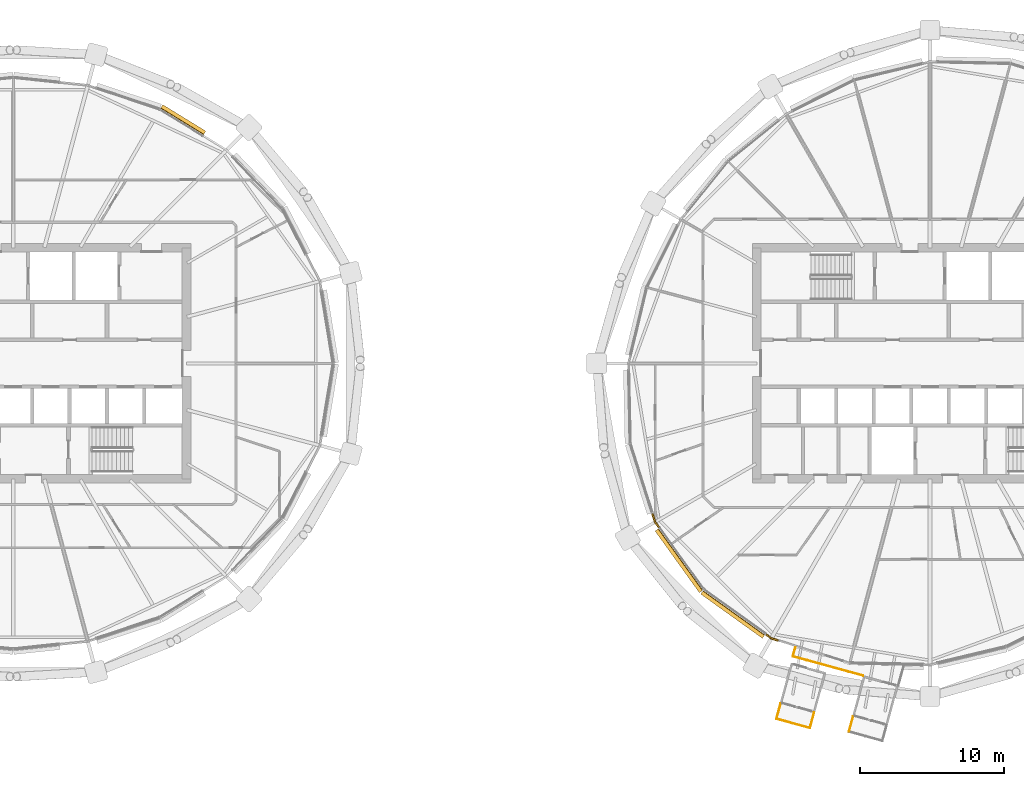
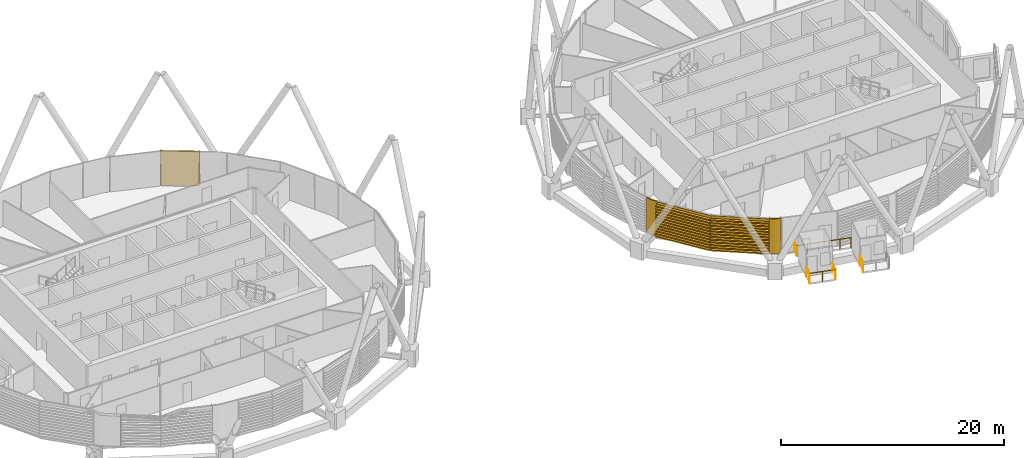
# One storey, part 34 of 37: 6 railings, 5 coverings.
"""IFC4 building model written with IfcOpenShell, lengths in metres."""

from ifc_helpers import new_model, si_unit, direction, frame, origin, origin_2d, place, context, subcontext, project, spatial, polyline, circle, outline, extrude, material, layer, layer_set, material_profile, profile_set, type_object, element, save


model = new_model("IFC4")

# Units and contexts
model_context = context("Model", 3, precision=1e-05, world=origin(), true_north=direction((0.0, 1.0)))
body_context = subcontext(model_context, "Body", "Model", "MODEL_VIEW")
ifc_project = project(units=[si_unit("LENGTHUNIT", "METRE"), si_unit("AREAUNIT", "SQUARE_METRE"), si_unit("VOLUMEUNIT", "CUBIC_METRE"), si_unit("PLANEANGLEUNIT", "RADIAN"), si_unit("MASSUNIT", "GRAM", prefix="KILO")], contexts=[model_context])

# Site, building, storey
site_placement = place(None, origin())
site = spatial("IfcSite", under=ifc_project, at=site_placement, CompositionType="ELEMENT")
building_placement = place(site_placement, origin())
building = spatial("IfcBuilding", under=site, at=building_placement, Name="Rimbun Link Towers", CompositionType="ELEMENT")
storey_placement = place(building_placement, frame((0.0, 0.0, 170.300048828125)))
storey = spatial("IfcBuildingStorey", under=building, at=storey_placement, Name="L41", CompositionType="ELEMENT", Elevation=170.300048828125)

# Railings
ifc_material_1 = material(Name="Stainless steel grade 316", Category="steel")
railing_type = type_object("IfcRailingType", Name="GUARD stainless rail and posts", PredefinedType="GUARDRAIL", material=ifc_material_1)
railing_1_placement = place(storey_placement, frame((26.422607421875, -24.453857421875, 0.0)))
element("IfcRailing", 1, at=railing_1_placement, inside=storey, type_object=railing_type, Name="GUARD D412.01 balcony", PredefinedType="GUARDRAIL", context=body_context, shape_type="SweptSolid", body=[
    extrude(circle(Radius=0.02392578125, at=origin_2d()), frame((0.0, 0.0, 1.076171875), z_axis=(-0.264769589015, -0.964311705173, 0.0), x_axis=(0.964311705173, -0.264769589015, 0.0)), (0.0, 0.0, 1.0), 1.10009765625),
    extrude(circle(Radius=0.02099609375, at=origin_2d()), origin(), (0.0, 0.0, 1.0), 1.052001953125),
    extrude(circle(Radius=0.02099609375, at=origin_2d()), frame((-0.291259765625, -1.060791015625, 0.0)), (0.0, 0.0, 1.0), 1.052001953125),
])
railing_2_placement = place(storey_placement, frame((21.400634765625, -23.56494140625, 0.0)))
element("IfcRailing", 2, at=railing_2_placement, inside=storey, type_object=railing_type, Name="GUARD D412.02 balcony", PredefinedType="GUARDRAIL", context=body_context, shape_type="SweptSolid", body=[
    extrude(circle(Radius=0.02392578125, at=origin_2d()), frame((0.0, 0.0, 1.076171875), z_axis=(-0.264826265466, -0.964296141815, 0.0), x_axis=(0.964296141815, -0.264826265466, 0.0)), (0.0, 0.0, 1.0), 1.099853515625),
    extrude(circle(Radius=0.02099609375, at=origin_2d()), origin(), (0.0, 0.0, 1.0), 1.052001953125),
    extrude(circle(Radius=0.02099609375, at=origin_2d()), frame((-0.291259765625, -1.060546875, 0.0)), (0.0, 0.0, 1.0), 1.052001953125),
])
railing_3_placement = place(storey_placement, frame((21.109375, -24.62548828125, 0.0)))
element("IfcRailing", 3, at=railing_3_placement, inside=storey, type_object=railing_type, Name="GUARD D412.02 balcony", PredefinedType="GUARDRAIL", context=body_context, shape_type="SweptSolid", body=[
    extrude(circle(Radius=0.02392578125, at=origin_2d()), frame((0.0, 0.0, 1.076171875), z_axis=(0.96427623078, -0.264898755665, 0.0), x_axis=(0.264898755665, 0.96427623078, 0.0)), (0.0, 0.0, 1.0), 2.39990234375),
    extrude(circle(Radius=0.02099609375, at=origin_2d()), origin(), (0.0, 0.0, 1.0), 1.052001953125),
    extrude(circle(Radius=0.02099609375, at=origin_2d()), frame((1.1572265625, -0.31787109375, 0.0)), (0.0, 0.0, 1.0), 1.052001953125),
    extrude(circle(Radius=0.02099609375, at=origin_2d()), frame((2.314208984375, -0.6357421875, 0.0)), (0.0, 0.0, 1.0), 1.052001953125),
])
railing_4_placement = place(storey_placement, frame((23.423583984375, -25.26123046875, 0.0)))
element("IfcRailing", 4, at=railing_4_placement, inside=storey, type_object=railing_type, Name="GUARD D412.02 balcony", PredefinedType="GUARDRAIL", context=body_context, shape_type="SweptSolid", body=[
    extrude(circle(Radius=0.02392578125, at=origin_2d()), frame((0.0, 0.0, 1.076171875), z_axis=(0.26497594841, 0.964255021643, 0.0), x_axis=(-0.964255021643, 0.26497594841, 0.0)), (0.0, 0.0, 1.0), 1.10009765625),
    extrude(circle(Radius=0.02099609375, at=origin_2d()), origin(), (0.0, 0.0, 1.0), 1.052001953125),
    extrude(circle(Radius=0.02099609375, at=origin_2d()), frame((0.29150390625, 1.060791015625, 0.0)), (0.0, 0.0, 1.0), 1.052001953125),
])
railing_5_placement = place(storey_placement, frame((22.24560546875, -20.29931640625, 0.0)))
element("IfcRailing", 5, at=railing_5_placement, inside=storey, type_object=railing_type, Name="GUARD D412 gallery", PredefinedType="GUARDRAIL", context=body_context, shape_type="SweptSolid", body=[
    extrude(circle(Radius=0.02392578125, at=origin_2d()), frame((0.0, 0.0, 1.076171875), z_axis=(0.26488728469, 0.964279381927, 0.0), x_axis=(-0.964279381927, 0.26488728469, 0.0)), (0.0, 0.0, 1.0), 0.653564453125),
    extrude(circle(Radius=0.02099609375, at=origin_2d()), origin(), (0.0, 0.0, 1.0), 1.052001953125),
    extrude(circle(Radius=0.02099609375, at=origin_2d()), frame((0.173095703125, 0.630126953125, 0.0)), (0.0, 0.0, 1.0), 1.052001953125),
])
railing_6_placement = place(storey_placement, frame((27.113525390625, -21.63623046875, 0.0)))
element("IfcRailing", 6, at=railing_6_placement, inside=storey, type_object=railing_type, Name="GUARD D412 gallery", PredefinedType="GUARDRAIL", context=body_context, shape_type="SweptSolid", body=[
    extrude(circle(Radius=0.02392578125, at=origin_2d()), frame((0.0, 0.0, 1.076171875), z_axis=(-0.964294671931, 0.264831617608, 0.0), x_axis=(-0.264831617608, -0.964294671931, 0.0)), (0.0, 0.0, 1.0), 5.048095703125),
    extrude(circle(Radius=0.02099609375, at=origin_2d()), origin(), (0.0, 0.0, 1.0), 1.052001953125),
    extrude(circle(Radius=0.02099609375, at=origin_2d()), frame((-0.9736328125, 0.267333984375, 0.0)), (0.0, 0.0, 1.0), 1.052001953125),
    extrude(circle(Radius=0.02099609375, at=origin_2d()), frame((-1.947265625, 0.53466796875, 0.0)), (0.0, 0.0, 1.0), 1.052001953125),
    extrude(circle(Radius=0.02099609375, at=origin_2d()), frame((-2.920654296875, 0.80224609375, 0.0)), (0.0, 0.0, 1.0), 1.052001953125),
    extrude(circle(Radius=0.02099609375, at=origin_2d()), frame((-3.894287109375, 1.069580078125, 0.0)), (0.0, 0.0, 1.0), 1.052001953125),
    extrude(circle(Radius=0.02099609375, at=origin_2d()), frame((-4.867919921875, 1.3369140625, 0.0)), (0.0, 0.0, 1.0), 1.052001953125),
])

# Coverings
ifc_material_2 = material(Name="Terracotta", Category="masonry")
ifc_layer = layer(ifc_material_2, 0.1201171875)
ifc_layer_set = layer_set([ifc_layer], Name="LINK PIER terracotta cladding 120")
covering_type_1 = type_object("IfcCoveringType", Name="LINK PIER terracotta cladding 120", PredefinedType="CLADDING", material=ifc_layer_set)
covering_1_placement = place(storey_placement, origin())
element("IfcCovering", 7, at=covering_1_placement, inside=storey, type_object=covering_type_1, Name="LINK PIER cladding", PredefinedType="CLADDING", context=body_context, shape_type="SweptSolid", body=[
    extrude(outline(polyline([(13.030029296875, -11.34814453125), (12.756103515625, -10.96630859375), (12.568115234375, -10.375244140625), (12.453857421875, -10.41162109375), (12.6474609375, -11.020751953125), (12.9326171875, -11.41796875), (13.030029296875, -11.34814453125)])), origin(), (0.0, 0.0, 1.0), 3.800048828125),
])
covering_2_placement = place(storey_placement, origin())
element("IfcCovering", 8, at=covering_2_placement, inside=storey, type_object=covering_type_1, Name="LINK PIER cladding", PredefinedType="CLADDING", context=body_context, shape_type="SweptSolid", body=[
    extrude(outline(polyline([(21.279296875, -19.151611328125), (20.78369140625, -18.993896484375), (20.40185546875, -18.719970703125), (20.33203125, -18.8173828125), (20.729248046875, -19.1025390625), (21.242919921875, -19.265869140625), (21.279296875, -19.151611328125)])), origin(), (0.0, 0.0, 1.0), 3.800048828125),
])
ifc_material_3 = material(Name="Terracotta", Category="masonry")
ifc_material_profile = material_profile(ifc_material_3, outline(polyline([(0.123046875, 0.0), (0.1630859375, 0.0), (0.1630859375, 0.10009765625), (0.423095703125, 0.10009765625), (0.423095703125, 0.219970703125), (0.1630859375, 0.219970703125), (0.1630859375, 0.39990234375), (0.423095703125, 0.39990234375), (0.423095703125, 0.52001953125), (0.1630859375, 0.52001953125), (0.1630859375, 0.699951171875), (0.423095703125, 0.699951171875), (0.423095703125, 0.820068359375), (0.1630859375, 0.820068359375), (0.1630859375, 1.0), (0.423095703125, 1.0), (0.423095703125, 1.1201171875), (0.1630859375, 1.1201171875), (0.1630859375, 1.300048828125), (0.423095703125, 1.300048828125), (0.423095703125, 1.419921875), (0.1630859375, 1.419921875), (0.1630859375, 1.60009765625), (0.423095703125, 1.60009765625), (0.423095703125, 1.719970703125), (0.1630859375, 1.719970703125), (0.1630859375, 1.89990234375), (0.423095703125, 1.89990234375), (0.423095703125, 2.02001953125), (0.1630859375, 2.02001953125), (0.1630859375, 2.199951171875), (0.423095703125, 2.199951171875), (0.423095703125, 2.320068359375), (0.1630859375, 2.320068359375), (0.1630859375, 2.5), (0.423095703125, 2.5), (0.423095703125, 2.6201171875), (0.1630859375, 2.6201171875), (0.1630859375, 2.800048828125), (0.423095703125, 2.800048828125), (0.423095703125, 2.919921875), (0.1630859375, 2.919921875), (0.1630859375, 3.10009765625), (0.423095703125, 3.10009765625), (0.423095703125, 3.219970703125), (0.1630859375, 3.219970703125), (0.1630859375, 3.39990234375), (0.423095703125, 3.39990234375), (0.423095703125, 3.52001953125), (0.1630859375, 3.52001953125), (0.1630859375, 3.800048828125), (0.123046875, 3.800048828125), (0.123046875, 0.0)])), Name="BAGUETTE 120X300")
ifc_profile_set = profile_set([ifc_material_profile], Name="Terracotta")
covering_type_2 = type_object("IfcCoveringType", Name="TERRACOTTA BAGUETTE 120X300 H3800", PredefinedType="CLADDING", material=ifc_profile_set)
covering_3_placement = place(storey_placement, frame((-21.615478515625, 17.5537109375, 0.0), z_axis=(0.852164119705, -0.523274605811, 0.0), x_axis=(0.523274605811, 0.852164119705, 0.0)))
element("IfcCovering", 9, at=covering_3_placement, inside=storey, type_object=covering_type_2, Name="TERRACOTTA BAGUETTE", PredefinedType="CLADDING", context=body_context, shape_type="SweptSolid", body=[
    extrude(outline(polyline([(0.123046875, 0.0), (0.1630859375, 0.0), (0.1630859375, 0.10009765625), (0.423095703125, 0.10009765625), (0.423095703125, 0.219970703125), (0.1630859375, 0.219970703125), (0.1630859375, 0.39990234375), (0.423095703125, 0.39990234375), (0.423095703125, 0.52001953125), (0.1630859375, 0.52001953125), (0.1630859375, 0.699951171875), (0.423095703125, 0.699951171875), (0.423095703125, 0.820068359375), (0.1630859375, 0.820068359375), (0.1630859375, 1.0), (0.423095703125, 1.0), (0.423095703125, 1.1201171875), (0.1630859375, 1.1201171875), (0.1630859375, 1.300048828125), (0.423095703125, 1.300048828125), (0.423095703125, 1.419921875), (0.1630859375, 1.419921875), (0.1630859375, 1.60009765625), (0.423095703125, 1.60009765625), (0.423095703125, 1.719970703125), (0.1630859375, 1.719970703125), (0.1630859375, 1.89990234375), (0.423095703125, 1.89990234375), (0.423095703125, 2.02001953125), (0.1630859375, 2.02001953125), (0.1630859375, 2.199951171875), (0.423095703125, 2.199951171875), (0.423095703125, 2.320068359375), (0.1630859375, 2.320068359375), (0.1630859375, 2.5), (0.423095703125, 2.5), (0.423095703125, 2.6201171875), (0.1630859375, 2.6201171875), (0.1630859375, 2.800048828125), (0.423095703125, 2.800048828125), (0.423095703125, 2.919921875), (0.1630859375, 2.919921875), (0.1630859375, 3.10009765625), (0.423095703125, 3.10009765625), (0.423095703125, 3.219970703125), (0.1630859375, 3.219970703125), (0.1630859375, 3.39990234375), (0.423095703125, 3.39990234375), (0.423095703125, 3.52001953125), (0.1630859375, 3.52001953125), (0.1630859375, 3.800048828125), (0.123046875, 3.800048828125), (0.123046875, 0.0)])), origin(), (0.0, 0.0, 1.0), 3.494140625),
])
for number, where, z_axis, x_axis, name in (
    (10, (16.10986328125, -15.64013671875, 0.0), (-0.582977917099, 0.812487998788, 0.0), (-0.812487998788, -0.582977917099, 0.0), "TERRACOTTA BAGUETTE"),
    (11, (20.377685546875, -18.702392578125, 0.0), (-0.812487998788, 0.582977917099, 0.0), (-0.582977917099, -0.812487998788, 0.0), "TERRACOTTA BAGUETTE"),
):
    element("IfcCovering", number, at=place(storey_placement, frame(where, z_axis=z_axis, x_axis=x_axis)), inside=storey, type_object=covering_type_2, Name=name, PredefinedType="CLADDING", context=body_context, shape_type="SweptSolid", body=[
        extrude(outline(polyline([(0.123046875, 0.0), (0.1630859375, 0.0), (0.1630859375, 0.10009765625), (0.423095703125, 0.10009765625), (0.423095703125, 0.219970703125), (0.1630859375, 0.219970703125), (0.1630859375, 0.39990234375), (0.423095703125, 0.39990234375), (0.423095703125, 0.52001953125), (0.1630859375, 0.52001953125), (0.1630859375, 0.699951171875), (0.423095703125, 0.699951171875), (0.423095703125, 0.820068359375), (0.1630859375, 0.820068359375), (0.1630859375, 1.0), (0.423095703125, 1.0), (0.423095703125, 1.1201171875), (0.1630859375, 1.1201171875), (0.1630859375, 1.300048828125), (0.423095703125, 1.300048828125), (0.423095703125, 1.419921875), (0.1630859375, 1.419921875), (0.1630859375, 1.60009765625), (0.423095703125, 1.60009765625), (0.423095703125, 1.719970703125), (0.1630859375, 1.719970703125), (0.1630859375, 1.89990234375), (0.423095703125, 1.89990234375), (0.423095703125, 2.02001953125), (0.1630859375, 2.02001953125), (0.1630859375, 2.199951171875), (0.423095703125, 2.199951171875), (0.423095703125, 2.320068359375), (0.1630859375, 2.320068359375), (0.1630859375, 2.5), (0.423095703125, 2.5), (0.423095703125, 2.6201171875), (0.1630859375, 2.6201171875), (0.1630859375, 2.800048828125), (0.423095703125, 2.800048828125), (0.423095703125, 2.919921875), (0.1630859375, 2.919921875), (0.1630859375, 3.10009765625), (0.423095703125, 3.10009765625), (0.423095703125, 3.219970703125), (0.1630859375, 3.219970703125), (0.1630859375, 3.39990234375), (0.423095703125, 3.39990234375), (0.423095703125, 3.52001953125), (0.1630859375, 3.52001953125), (0.1630859375, 3.800048828125), (0.123046875, 3.800048828125), (0.123046875, 0.0)])), origin(), (0.0, 0.0, 1.0), 5.252685546875),
    ])

save(model, "model.ifc")
